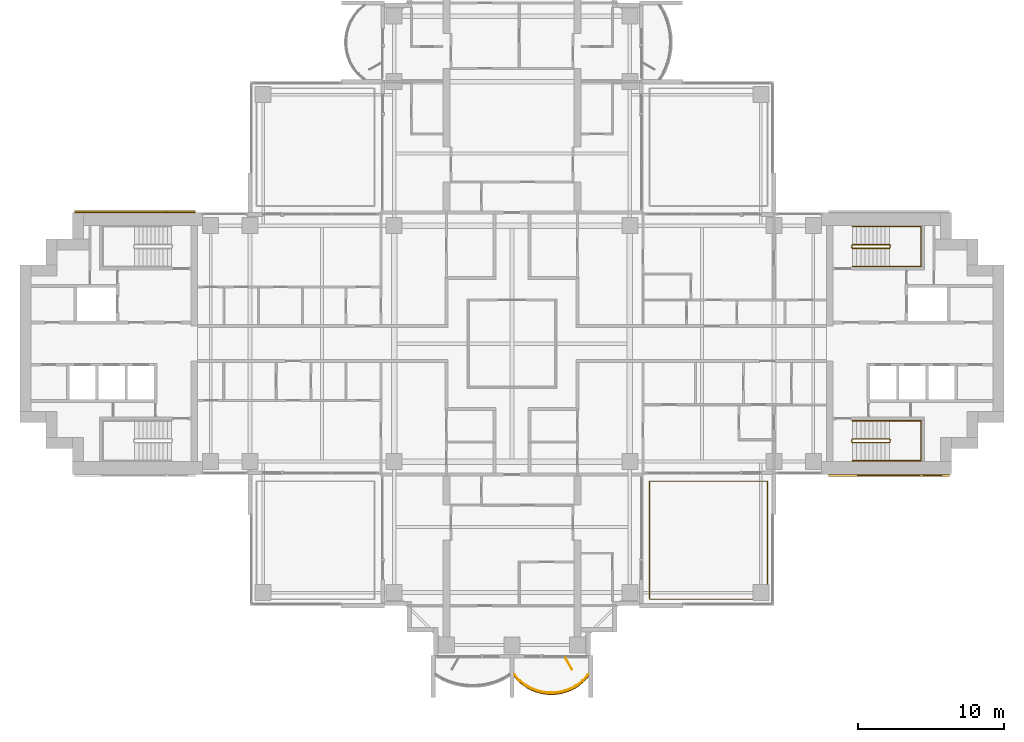
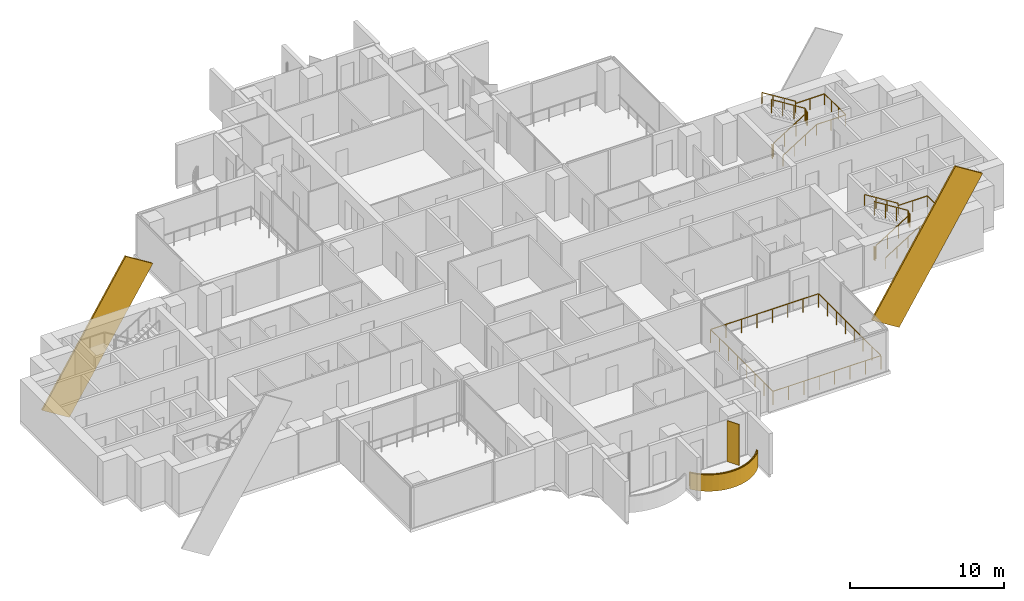
# One storey, part 17 of 19: 6 railings, 3 coverings, 1 shading device.
"""IFC4 building model written with IfcOpenShell, lengths in metres."""

from ifc_helpers import new_model, si_unit, direction, frame, origin, origin_2d, place, context, subcontext, project, spatial, polyline, rectangle, outline, extrude, material, layer, layer_set, material_profile, profile_set, type_object, element, save


model = new_model("IFC4")

# Units and contexts
model_context = context("Model", 3, precision=1e-05, world=origin(), true_north=direction((0.0, 1.0)))
body_context = subcontext(model_context, "Body", "Model", "MODEL_VIEW")
ifc_project = project(units=[si_unit("LENGTHUNIT", "METRE"), si_unit("AREAUNIT", "SQUARE_METRE"), si_unit("VOLUMEUNIT", "CUBIC_METRE"), si_unit("PLANEANGLEUNIT", "RADIAN"), si_unit("MASSUNIT", "GRAM", prefix="KILO")], contexts=[model_context])

# Site, building, storey
site_placement = place(None, origin())
site = spatial("IfcSite", under=ifc_project, at=site_placement, CompositionType="ELEMENT")
building_placement = place(site_placement, origin())
building = spatial("IfcBuilding", under=site, at=building_placement, Name="Perihelion Cross Residences", CompositionType="ELEMENT")
storey_placement = place(building_placement, frame((0.0, 0.0, 147.89990234375)))
storey = spatial("IfcBuildingStorey", under=building, at=storey_placement, Name="L36", CompositionType="ELEMENT", Elevation=147.89990234375)

# Covering
ifc_material_1 = material(Name="Bronze anodised aluminium", Category="aluminium")
ifc_layer_1 = layer(ifc_material_1, 0.070068359375)
ifc_layer_set_1 = layer_set([ifc_layer_1], Name="Balcony fascia 1300")
covering_type_1 = type_object("IfcCoveringType", Name="Balcony fascia 1300", PredefinedType="CLADDING", material=ifc_layer_set_1)
covering_placement = place(storey_placement, frame((0.0, 0.0, -0.199951171875)))
element("IfcCovering", 1, at=covering_placement, inside=storey, type_object=covering_type_1, Name="Fascia BF1 L36 south tip south bay 2", PredefinedType="CLADDING", context=body_context, shape_type="SweptSolid", body=[
    extrude(outline(polyline([(0.4951171875, -23.27392578125), (0.89599609375, -23.58251953125), (1.296875, -23.806396484375), (1.69775390625, -23.9638671875), (2.0986328125, -24.064697265625), (2.49951171875, -24.114013671875), (2.900390625, -24.114013671875), (3.30126953125, -24.064697265625), (3.7021484375, -23.9638671875), (4.10302734375, -23.806396484375), (4.50390625, -23.58251953125), (4.90478515625, -23.27392578125), (5.25, -22.90283203125), (5.25, -22.800048828125), (4.857666015625, -23.22216796875), (4.46533203125, -23.524169921875), (4.072998046875, -23.7431640625), (3.6806640625, -23.897216796875), (3.28857421875, -23.995849609375), (2.896240234375, -24.0439453125), (2.50390625, -24.0439453125), (2.111572265625, -23.995849609375), (1.71923828125, -23.897216796875), (1.326904296875, -23.7431640625), (0.9345703125, -23.524169921875), (0.542236328125, -23.22216796875), (0.14990234375, -22.800048828125), (0.14990234375, -22.90283203125), (0.4951171875, -23.27392578125)])), origin(), (0.0, 0.0, 1.0), 1.300048828125),
])

# Railings
ifc_material_2 = material(Name="Bronze anodised aluminium", Category="aluminium")
railing_type_1 = type_object("IfcRailingType", Name="Balcony guard 1100", PredefinedType="GUARDRAIL", material=ifc_material_2)
railing_1_placement = place(storey_placement, frame((0.175048828125, -22.739990234375, 0.0)))
element("IfcRailing", 2, at=railing_1_placement, inside=storey, type_object=railing_type_1, Name="Guard GU1 L36 south tip south bay 2 balcony", PredefinedType="GUARDRAIL", context=body_context, shape_type="SweptSolid", body=[
    extrude(rectangle(XDim=0.048095703125, YDim=0.048095703125, at=origin_2d()), frame((0.0, 0.0, 1.076171875), z_axis=(0.656308349551, -0.754492776844, 0.0), x_axis=(0.754492776844, 0.656308349551, 0.0)), (0.0, 0.0, 1.0), 0.5595703125),
    extrude(rectangle(XDim=0.048095703125, YDim=0.048095703125, at=origin_2d()), frame((0.3671875, -0.422119140625, 1.076171875), z_axis=(0.792422303655, -0.609972862241, 0.0), x_axis=(0.609972862241, 0.792422303655, 0.0)), (0.0, 0.0, 1.0), 0.4951171875),
    extrude(rectangle(XDim=0.048095703125, YDim=0.048095703125, at=origin_2d()), frame((0.759521484375, -0.72412109375, 1.076171875), z_axis=(0.873181568748, -0.487395063576, 0.0), x_axis=(0.487395063576, 0.873181568748, 0.0)), (0.0, 0.0, 1.0), 0.44921875),
    extrude(rectangle(XDim=0.048095703125, YDim=0.048095703125, at=origin_2d()), frame((1.15185546875, -0.943115234375, 1.076171875), z_axis=(0.930617693705, -0.365992770642, 0.0), x_axis=(0.365992770642, 0.930617693705, 0.0)), (0.0, 0.0, 1.0), 0.421630859375),
    extrude(rectangle(XDim=0.048095703125, YDim=0.048095703125, at=origin_2d()), frame((1.544189453125, -1.097412109375, 1.076171875), z_axis=(0.969964714601, -0.243245662716, 0.0), x_axis=(0.243245662716, 0.969964714601, 0.0)), (0.0, 0.0, 1.0), 0.404541015625),
    extrude(rectangle(XDim=0.048095703125, YDim=0.048095703125, at=origin_2d()), frame((1.9365234375, -1.19580078125, 1.076171875), z_axis=(0.992494874491, -0.122286238425, 0.0), x_axis=(0.122286238425, 0.992494874491, 0.0)), (0.0, 0.0, 1.0), 0.395263671875),
    extrude(rectangle(XDim=0.048095703125, YDim=0.048095703125, at=origin_2d()), frame((2.328857421875, -1.244140625, 1.076171875), z_axis=(1.0, 0.0, 0.0), x_axis=(0.0, 1.0, 0.0)), (0.0, 0.0, 1.0), 0.392333984375),
    extrude(rectangle(XDim=0.048095703125, YDim=0.048095703125, at=origin_2d()), frame((2.72119140625, -1.244140625, 1.076171875), z_axis=(0.992494874491, 0.122286238425, 0.0), x_axis=(-0.122286238425, 0.992494874491, 0.0)), (0.0, 0.0, 1.0), 0.395263671875),
    extrude(rectangle(XDim=0.048095703125, YDim=0.048095703125, at=origin_2d()), frame((3.113525390625, -1.19580078125, 1.076171875), z_axis=(0.96992896989, 0.243388153715, 0.0), x_axis=(-0.243388153715, 0.96992896989, 0.0)), (0.0, 0.0, 1.0), 0.404296875),
    extrude(rectangle(XDim=0.048095703125, YDim=0.048095703125, at=origin_2d()), frame((3.505615234375, -1.097412109375, 1.076171875), z_axis=(0.930617693705, 0.365992770642, 0.0), x_axis=(-0.365992770642, 0.930617693705, 0.0)), (0.0, 0.0, 1.0), 0.421630859375),
    extrude(rectangle(XDim=0.048095703125, YDim=0.048095703125, at=origin_2d()), frame((3.89794921875, -0.943115234375, 1.076171875), z_axis=(0.873181568748, 0.487395063576, 0.0), x_axis=(-0.487395063576, 0.873181568748, 0.0)), (0.0, 0.0, 1.0), 0.44921875),
    extrude(rectangle(XDim=0.048095703125, YDim=0.048095703125, at=origin_2d()), frame((4.290283203125, -0.72412109375, 1.076171875), z_axis=(0.792422303655, 0.609972862241, 0.0), x_axis=(-0.609972862241, 0.792422303655, 0.0)), (0.0, 0.0, 1.0), 0.4951171875),
    extrude(rectangle(XDim=0.048095703125, YDim=0.048095703125, at=origin_2d()), frame((4.6826171875, -0.422119140625, 1.076171875), z_axis=(0.656556653543, 0.754276713606, 0.0), x_axis=(-0.754276713606, 0.656556653543, 0.0)), (0.0, 0.0, 1.0), 0.5595703125),
    extrude(rectangle(XDim=0.0419921875, YDim=0.0419921875, at=origin_2d()), origin(), (0.0, 0.0, 1.0), 1.052001953125),
    extrude(rectangle(XDim=0.0419921875, YDim=0.0419921875, at=origin_2d()), frame((0.3671875, -0.422119140625, 0.0)), (0.0, 0.0, 1.0), 1.052001953125),
    extrude(rectangle(XDim=0.0419921875, YDim=0.0419921875, at=origin_2d()), frame((0.759521484375, -0.72412109375, 0.0)), (0.0, 0.0, 1.0), 1.052001953125),
    extrude(rectangle(XDim=0.0419921875, YDim=0.0419921875, at=origin_2d()), frame((1.15185546875, -0.943115234375, 0.0)), (0.0, 0.0, 1.0), 1.052001953125),
    extrude(rectangle(XDim=0.0419921875, YDim=0.0419921875, at=origin_2d()), frame((1.544189453125, -1.097412109375, 0.0)), (0.0, 0.0, 1.0), 1.052001953125),
    extrude(rectangle(XDim=0.0419921875, YDim=0.0419921875, at=origin_2d()), frame((1.9365234375, -1.19580078125, 0.0)), (0.0, 0.0, 1.0), 1.052001953125),
    extrude(rectangle(XDim=0.0419921875, YDim=0.0419921875, at=origin_2d()), frame((2.328857421875, -1.244140625, 0.0)), (0.0, 0.0, 1.0), 1.052001953125),
    extrude(rectangle(XDim=0.0419921875, YDim=0.0419921875, at=origin_2d()), frame((2.72119140625, -1.244140625, 0.0)), (0.0, 0.0, 1.0), 1.052001953125),
    extrude(rectangle(XDim=0.0419921875, YDim=0.0419921875, at=origin_2d()), frame((3.113525390625, -1.19580078125, 0.0)), (0.0, 0.0, 1.0), 1.052001953125),
    extrude(rectangle(XDim=0.0419921875, YDim=0.0419921875, at=origin_2d()), frame((3.505615234375, -1.097412109375, 0.0)), (0.0, 0.0, 1.0), 1.052001953125),
    extrude(rectangle(XDim=0.0419921875, YDim=0.0419921875, at=origin_2d()), frame((3.89794921875, -0.943115234375, 0.0)), (0.0, 0.0, 1.0), 1.052001953125),
    extrude(rectangle(XDim=0.0419921875, YDim=0.0419921875, at=origin_2d()), frame((4.290283203125, -0.72412109375, 0.0)), (0.0, 0.0, 1.0), 1.052001953125),
    extrude(rectangle(XDim=0.0419921875, YDim=0.0419921875, at=origin_2d()), frame((4.6826171875, -0.422119140625, 0.0)), (0.0, 0.0, 1.0), 1.052001953125),
    extrude(rectangle(XDim=0.0419921875, YDim=0.0419921875, at=origin_2d()), frame((5.050048828125, 0.0, 0.0)), (0.0, 0.0, 1.0), 1.052001953125),
])
railing_2_placement = place(storey_placement, frame((17.550048828125, -17.550048828125, 0.0)))
element("IfcRailing", 3, at=railing_2_placement, inside=storey, type_object=railing_type_1, Name="Guard GU1 L36 pocket south-east 1", PredefinedType="GUARDRAIL", context=body_context, shape_type="SweptSolid", body=[
    extrude(rectangle(XDim=0.048095703125, YDim=0.048095703125, at=origin_2d()), frame((0.0, 0.0, 1.076171875), z_axis=(-1.0, 0.0, 0.0), x_axis=(0.0, -1.0, 0.0)), (0.0, 0.0, 1.0), 8.10009765625),
    extrude(rectangle(XDim=0.048095703125, YDim=0.048095703125, at=origin_2d()), frame((-8.10009765625, 0.0, 1.076171875), z_axis=(0.0, 1.0, 0.0), x_axis=(-1.0, 0.0, 0.0)), (0.0, 0.0, 1.0), 8.10009765625),
    extrude(rectangle(XDim=0.048095703125, YDim=0.048095703125, at=origin_2d()), frame((-8.10009765625, 8.10009765625, 1.076171875), z_axis=(1.0, 0.0, 0.0), x_axis=(0.0, 1.0, 0.0)), (0.0, 0.0, 1.0), 8.10009765625),
    extrude(rectangle(XDim=0.048095703125, YDim=0.048095703125, at=origin_2d()), frame((0.0, 8.10009765625, 1.076171875), z_axis=(0.0, -1.0, 0.0), x_axis=(1.0, 0.0, 0.0)), (0.0, 0.0, 1.0), 8.10009765625),
    extrude(rectangle(XDim=0.0419921875, YDim=0.0419921875, at=origin_2d()), origin(), (0.0, 0.0, 1.0), 1.052001953125),
    extrude(rectangle(XDim=0.0419921875, YDim=0.0419921875, at=origin_2d()), frame((-1.1572265625, 0.0, 0.0)), (0.0, 0.0, 1.0), 1.052001953125),
    extrude(rectangle(XDim=0.0419921875, YDim=0.0419921875, at=origin_2d()), frame((-2.314208984375, 0.0, 0.0)), (0.0, 0.0, 1.0), 1.052001953125),
    extrude(rectangle(XDim=0.0419921875, YDim=0.0419921875, at=origin_2d()), frame((-3.471435546875, 0.0, 0.0)), (0.0, 0.0, 1.0), 1.052001953125),
    extrude(rectangle(XDim=0.0419921875, YDim=0.0419921875, at=origin_2d()), frame((-4.628662109375, 0.0, 0.0)), (0.0, 0.0, 1.0), 1.052001953125),
    extrude(rectangle(XDim=0.0419921875, YDim=0.0419921875, at=origin_2d()), frame((-5.785888671875, 0.0, 0.0)), (0.0, 0.0, 1.0), 1.052001953125),
    extrude(rectangle(XDim=0.0419921875, YDim=0.0419921875, at=origin_2d()), frame((-6.94287109375, 0.0, 0.0)), (0.0, 0.0, 1.0), 1.052001953125),
    extrude(rectangle(XDim=0.0419921875, YDim=0.0419921875, at=origin_2d()), frame((-8.10009765625, 0.0, 0.0)), (0.0, 0.0, 1.0), 1.052001953125),
    extrude(rectangle(XDim=0.0419921875, YDim=0.0419921875, at=origin_2d()), frame((-8.10009765625, 1.1572265625, 0.0)), (0.0, 0.0, 1.0), 1.052001953125),
    extrude(rectangle(XDim=0.0419921875, YDim=0.0419921875, at=origin_2d()), frame((-8.10009765625, 2.314208984375, 0.0)), (0.0, 0.0, 1.0), 1.052001953125),
    extrude(rectangle(XDim=0.0419921875, YDim=0.0419921875, at=origin_2d()), frame((-8.10009765625, 3.471435546875, 0.0)), (0.0, 0.0, 1.0), 1.052001953125),
    extrude(rectangle(XDim=0.0419921875, YDim=0.0419921875, at=origin_2d()), frame((-8.10009765625, 4.628662109375, 0.0)), (0.0, 0.0, 1.0), 1.052001953125),
    extrude(rectangle(XDim=0.0419921875, YDim=0.0419921875, at=origin_2d()), frame((-8.10009765625, 5.785888671875, 0.0)), (0.0, 0.0, 1.0), 1.052001953125),
    extrude(rectangle(XDim=0.0419921875, YDim=0.0419921875, at=origin_2d()), frame((-8.10009765625, 6.94287109375, 0.0)), (0.0, 0.0, 1.0), 1.052001953125),
    extrude(rectangle(XDim=0.0419921875, YDim=0.0419921875, at=origin_2d()), frame((-8.10009765625, 8.10009765625, 0.0)), (0.0, 0.0, 1.0), 1.052001953125),
    extrude(rectangle(XDim=0.0419921875, YDim=0.0419921875, at=origin_2d()), frame((-6.94287109375, 8.10009765625, 0.0)), (0.0, 0.0, 1.0), 1.052001953125),
    extrude(rectangle(XDim=0.0419921875, YDim=0.0419921875, at=origin_2d()), frame((-5.785888671875, 8.10009765625, 0.0)), (0.0, 0.0, 1.0), 1.052001953125),
    extrude(rectangle(XDim=0.0419921875, YDim=0.0419921875, at=origin_2d()), frame((-4.628662109375, 8.10009765625, 0.0)), (0.0, 0.0, 1.0), 1.052001953125),
    extrude(rectangle(XDim=0.0419921875, YDim=0.0419921875, at=origin_2d()), frame((-3.471435546875, 8.10009765625, 0.0)), (0.0, 0.0, 1.0), 1.052001953125),
    extrude(rectangle(XDim=0.0419921875, YDim=0.0419921875, at=origin_2d()), frame((-2.314208984375, 8.10009765625, 0.0)), (0.0, 0.0, 1.0), 1.052001953125),
    extrude(rectangle(XDim=0.0419921875, YDim=0.0419921875, at=origin_2d()), frame((-1.1572265625, 8.10009765625, 0.0)), (0.0, 0.0, 1.0), 1.052001953125),
    extrude(rectangle(XDim=0.0419921875, YDim=0.0419921875, at=origin_2d()), frame((0.0, 8.10009765625, 0.0)), (0.0, 0.0, 1.0), 1.052001953125),
    extrude(rectangle(XDim=0.0419921875, YDim=0.0419921875, at=origin_2d()), frame((0.0, 6.94287109375, 0.0)), (0.0, 0.0, 1.0), 1.052001953125),
    extrude(rectangle(XDim=0.0419921875, YDim=0.0419921875, at=origin_2d()), frame((0.0, 5.785888671875, 0.0)), (0.0, 0.0, 1.0), 1.052001953125),
    extrude(rectangle(XDim=0.0419921875, YDim=0.0419921875, at=origin_2d()), frame((0.0, 4.628662109375, 0.0)), (0.0, 0.0, 1.0), 1.052001953125),
    extrude(rectangle(XDim=0.0419921875, YDim=0.0419921875, at=origin_2d()), frame((0.0, 3.471435546875, 0.0)), (0.0, 0.0, 1.0), 1.052001953125),
    extrude(rectangle(XDim=0.0419921875, YDim=0.0419921875, at=origin_2d()), frame((0.0, 2.314208984375, 0.0)), (0.0, 0.0, 1.0), 1.052001953125),
    extrude(rectangle(XDim=0.0419921875, YDim=0.0419921875, at=origin_2d()), frame((0.0, 1.1572265625, 0.0)), (0.0, 0.0, 1.0), 1.052001953125),
])

# Coverings
ifc_material_3 = material(Name="Bronze anodised aluminium", Category="aluminium")
ifc_material_profile = material_profile(ifc_material_3, rectangle(XDim=0.125, YDim=2.39990234375, at=origin_2d()), Name="Bronze cladding band 2400")
ifc_profile_set = profile_set([ifc_material_profile], Name="Bronze anodised aluminium")
covering_type_2 = type_object("IfcCoveringType", Name="Bronze cladding band 2400", PredefinedType="CLADDING", material=ifc_profile_set)
for number, where, z_axis, x_axis, name in (
    (4, (22.767578125, -9.0625, -3.346923828125), (0.529915403603, 0.0, 0.848050508534), (0.0, 1.0, 0.0), "Core cladding band, east core"),
    (5, (-29.0322265625, 9.0625, -3.346923828125), (0.529915403603, 0.0, 0.848050508534), (0.0, 1.0, 0.0), "Core cladding band, west core"),
):
    element("IfcCovering", number, at=place(storey_placement, frame(where, z_axis=z_axis, x_axis=x_axis)), inside=storey, type_object=covering_type_2, Name=name, PredefinedType="CLADDING", context=body_context, shape_type="SweptSolid", body=[
        extrude(rectangle(XDim=0.125, YDim=2.39990234375, at=origin_2d()), origin(), (0.0, 0.0, 1.0), 11.822021484375),
    ])

# Shading device
ifc_material_4 = material(Name="Bronze anodised aluminium", Category="aluminium")
ifc_layer_2 = layer(ifc_material_4, 0.050048828125)
ifc_layer_set_2 = layer_set([ifc_layer_2], Name="Bronze fin 900")
shading_device_type = type_object("IfcShadingDeviceType", Name="Bronze fin 900", PredefinedType="USERDEFINED", material=ifc_layer_set_2)
shading_device_placement = place(storey_placement, frame((3.89990234375, -21.98974609375, 0.0), z_axis=(0.0, 0.0, 1.0), x_axis=(0.5, -0.866025403784, 0.0)))
element("IfcShadingDevice", 6, at=shading_device_placement, inside=storey, type_object=shading_device_type, Name="Fin FN1 L36 south tip south bay 2", ObjectType="FIN", PredefinedType="USERDEFINED", context=body_context, shape_type="SweptSolid", body=[
    extrude(rectangle(XDim=0.89990234375, YDim=0.050048828125, at=origin_2d()), origin(), (0.0, 0.0, 1.0), 3.25),
])

# Railings
ifc_material_5 = material(Name="Stainless steel", Category="steel")
railing_type_2 = type_object("IfcRailingType", Name="Stair guard 1100", PredefinedType="GUARDRAIL", material=ifc_material_5)
railing_3_placement = place(storey_placement, frame((23.35009765625, 6.75, 0.0)))
element("IfcRailing", 7, at=railing_3_placement, inside=storey, type_object=railing_type_2, Name="L36 ST-E1 stair guard 1", PredefinedType="GUARDRAIL", context=body_context, shape_type="SweptSolid", body=[
    extrude(rectangle(XDim=0.048095703125, YDim=0.048095703125, at=origin_2d()), frame((0.0, 0.0, 1.076171875), z_axis=(0.0, -1.0, 0.0), x_axis=(1.0, 0.0, 0.0)), (0.0, 0.0, 1.0), 0.14990234375),
    extrude(rectangle(XDim=0.048095703125, YDim=0.048095703125, at=origin_2d()), frame((0.0, -0.14990234375, 1.076171875), z_axis=(0.263862480399, -0.265155923931, 0.927399011991), x_axis=(0.708833529934, 0.705375805398, 0.0)), (0.0, 0.0, 1.0), 0.188720703125),
    extrude(rectangle(XDim=0.048095703125, YDim=0.048095703125, at=origin_2d()), frame((0.0498046875, -0.199951171875, 1.2509765625), z_axis=(0.848007534815, 0.0, 0.529984170421), x_axis=(0.0, 1.0, 0.0)), (0.0, 0.0, 1.0), 2.9716796875),
    extrude(rectangle(XDim=0.048095703125, YDim=0.048095703125, at=origin_2d()), frame((2.56982421875, -0.199951171875, 2.826171875), z_axis=(0.707106781187, 0.707106781187, 0.0), x_axis=(-0.707106781187, 0.707106781187, 0.0)), (0.0, 0.0, 1.0), 0.07080078125),
    extrude(rectangle(XDim=0.048095703125, YDim=0.048095703125, at=origin_2d()), frame((2.619873046875, -0.14990234375, 2.826171875), z_axis=(0.0, 1.0, 0.0), x_axis=(-1.0, 0.0, 0.0)), (0.0, 0.0, 1.0), 0.14990234375),
    extrude(rectangle(XDim=0.048095703125, YDim=0.048095703125, at=origin_2d()), frame((2.619873046875, 0.0, 2.826171875), z_axis=(-0.265065253269, 0.265065253269, 0.927081885822), x_axis=(-0.707106781187, -0.707106781187, 0.0)), (0.0, 0.0, 1.0), 0.188720703125),
    extrude(rectangle(XDim=0.048095703125, YDim=0.048095703125, at=origin_2d()), frame((2.56982421875, 0.050048828125, 3.0009765625), z_axis=(-0.848007534815, 0.0, 0.529984170421), x_axis=(0.0, -1.0, 0.0)), (0.0, 0.0, 1.0), 2.9716796875),
    extrude(rectangle(XDim=0.0419921875, YDim=0.0419921875, at=origin_2d()), origin(), (0.0, 0.0, 1.0), 1.052001953125),
    extrude(rectangle(XDim=0.0419921875, YDim=0.0419921875, at=origin_2d()), frame((0.0, -0.14990234375, 0.0)), (0.0, 0.0, 1.0), 1.052001953125),
    extrude(rectangle(XDim=0.0419921875, YDim=0.0419921875, at=origin_2d()), frame((0.0498046875, -0.199951171875, 0.175048828125)), (0.0, 0.0, 1.0), 1.052001953125),
    extrude(rectangle(XDim=0.0419921875, YDim=0.0419921875, at=origin_2d()), frame((0.889892578125, -0.199951171875, 0.699951171875)), (0.0, 0.0, 1.0), 1.052001953125),
    extrude(rectangle(XDim=0.0419921875, YDim=0.0419921875, at=origin_2d()), frame((1.729736328125, -0.199951171875, 1.22509765625)), (0.0, 0.0, 1.0), 1.052001953125),
    extrude(rectangle(XDim=0.0419921875, YDim=0.0419921875, at=origin_2d()), frame((2.56982421875, -0.199951171875, 1.75)), (0.0, 0.0, 1.0), 1.052001953125),
    extrude(rectangle(XDim=0.0419921875, YDim=0.0419921875, at=origin_2d()), frame((2.619873046875, -0.14990234375, 1.75)), (0.0, 0.0, 1.0), 1.052001953125),
    extrude(rectangle(XDim=0.0419921875, YDim=0.0419921875, at=origin_2d()), frame((2.619873046875, 0.0, 1.75)), (0.0, 0.0, 1.0), 1.052001953125),
    extrude(rectangle(XDim=0.0419921875, YDim=0.0419921875, at=origin_2d()), frame((2.56982421875, 0.050048828125, 1.925048828125)), (0.0, 0.0, 1.0), 1.052001953125),
    extrude(rectangle(XDim=0.0419921875, YDim=0.0419921875, at=origin_2d()), frame((1.729736328125, 0.050048828125, 2.449951171875)), (0.0, 0.0, 1.0), 1.052001953125),
    extrude(rectangle(XDim=0.0419921875, YDim=0.0419921875, at=origin_2d()), frame((0.889892578125, 0.050048828125, 2.97509765625)), (0.0, 0.0, 1.0), 1.052001953125),
    extrude(rectangle(XDim=0.0419921875, YDim=0.0419921875, at=origin_2d()), frame((0.0498046875, 0.050048828125, 3.5)), (0.0, 0.0, 1.0), 1.052001953125),
])
railing_4_placement = place(storey_placement, frame((23.35009765625, -6.60009765625, 0.0)))
element("IfcRailing", 8, at=railing_4_placement, inside=storey, type_object=railing_type_2, Name="L36 ST-E2 stair guard 1", PredefinedType="GUARDRAIL", context=body_context, shape_type="SweptSolid", body=[
    extrude(rectangle(XDim=0.048095703125, YDim=0.048095703125, at=origin_2d()), frame((0.0, 0.0, 1.076171875), z_axis=(0.0, -1.0, 0.0), x_axis=(1.0, 0.0, 0.0)), (0.0, 0.0, 1.0), 0.14990234375),
    extrude(rectangle(XDim=0.048095703125, YDim=0.048095703125, at=origin_2d()), frame((0.0, -0.14990234375, 1.076171875), z_axis=(0.263862480399, -0.265155923931, 0.927399011991), x_axis=(0.708833529934, 0.705375805398, 0.0)), (0.0, 0.0, 1.0), 0.188720703125),
    extrude(rectangle(XDim=0.048095703125, YDim=0.048095703125, at=origin_2d()), frame((0.0498046875, -0.199951171875, 1.2509765625), z_axis=(0.848007534815, 0.0, 0.529984170421), x_axis=(0.0, 1.0, 0.0)), (0.0, 0.0, 1.0), 2.9716796875),
    extrude(rectangle(XDim=0.048095703125, YDim=0.048095703125, at=origin_2d()), frame((2.56982421875, -0.199951171875, 2.826171875), z_axis=(0.707106781187, 0.707106781187, 0.0), x_axis=(-0.707106781187, 0.707106781187, 0.0)), (0.0, 0.0, 1.0), 0.07080078125),
    extrude(rectangle(XDim=0.048095703125, YDim=0.048095703125, at=origin_2d()), frame((2.619873046875, -0.14990234375, 2.826171875), z_axis=(0.0, 1.0, 0.0), x_axis=(-1.0, 0.0, 0.0)), (0.0, 0.0, 1.0), 0.14990234375),
    extrude(rectangle(XDim=0.048095703125, YDim=0.048095703125, at=origin_2d()), frame((2.619873046875, 0.0, 2.826171875), z_axis=(-0.265065253269, 0.265065253269, 0.927081885822), x_axis=(-0.707106781187, -0.707106781187, 0.0)), (0.0, 0.0, 1.0), 0.188720703125),
    extrude(rectangle(XDim=0.048095703125, YDim=0.048095703125, at=origin_2d()), frame((2.56982421875, 0.050048828125, 3.0009765625), z_axis=(-0.848007534815, 0.0, 0.529984170421), x_axis=(0.0, -1.0, 0.0)), (0.0, 0.0, 1.0), 2.9716796875),
    extrude(rectangle(XDim=0.0419921875, YDim=0.0419921875, at=origin_2d()), origin(), (0.0, 0.0, 1.0), 1.052001953125),
    extrude(rectangle(XDim=0.0419921875, YDim=0.0419921875, at=origin_2d()), frame((0.0, -0.14990234375, 0.0)), (0.0, 0.0, 1.0), 1.052001953125),
    extrude(rectangle(XDim=0.0419921875, YDim=0.0419921875, at=origin_2d()), frame((0.0498046875, -0.199951171875, 0.175048828125)), (0.0, 0.0, 1.0), 1.052001953125),
    extrude(rectangle(XDim=0.0419921875, YDim=0.0419921875, at=origin_2d()), frame((0.889892578125, -0.199951171875, 0.699951171875)), (0.0, 0.0, 1.0), 1.052001953125),
    extrude(rectangle(XDim=0.0419921875, YDim=0.0419921875, at=origin_2d()), frame((1.729736328125, -0.199951171875, 1.22509765625)), (0.0, 0.0, 1.0), 1.052001953125),
    extrude(rectangle(XDim=0.0419921875, YDim=0.0419921875, at=origin_2d()), frame((2.56982421875, -0.199951171875, 1.75)), (0.0, 0.0, 1.0), 1.052001953125),
    extrude(rectangle(XDim=0.0419921875, YDim=0.0419921875, at=origin_2d()), frame((2.619873046875, -0.14990234375, 1.75)), (0.0, 0.0, 1.0), 1.052001953125),
    extrude(rectangle(XDim=0.0419921875, YDim=0.0419921875, at=origin_2d()), frame((2.619873046875, 0.0, 1.75)), (0.0, 0.0, 1.0), 1.052001953125),
    extrude(rectangle(XDim=0.0419921875, YDim=0.0419921875, at=origin_2d()), frame((2.56982421875, 0.050048828125, 1.925048828125)), (0.0, 0.0, 1.0), 1.052001953125),
    extrude(rectangle(XDim=0.0419921875, YDim=0.0419921875, at=origin_2d()), frame((1.729736328125, 0.050048828125, 2.449951171875)), (0.0, 0.0, 1.0), 1.052001953125),
    extrude(rectangle(XDim=0.0419921875, YDim=0.0419921875, at=origin_2d()), frame((0.889892578125, 0.050048828125, 2.97509765625)), (0.0, 0.0, 1.0), 1.052001953125),
    extrude(rectangle(XDim=0.0419921875, YDim=0.0419921875, at=origin_2d()), frame((0.0498046875, 0.050048828125, 3.5)), (0.0, 0.0, 1.0), 1.052001953125),
])
ifc_material_6 = material(Name="Stainless steel", Category="steel")
railing_type_3 = type_object("IfcRailingType", Name="Stair handrail 900", PredefinedType="HANDRAIL", material=ifc_material_6)
railing_5_placement = place(storey_placement, frame((23.39990234375, 5.300048828125, 0.175048828125)))
element("IfcRailing", 9, at=railing_5_placement, inside=storey, type_object=railing_type_3, Name="L36 ST-E1 stair handrail 1", PredefinedType="HANDRAIL", context=body_context, shape_type="SweptSolid", body=[
    extrude(rectangle(XDim=0.048095703125, YDim=0.048095703125, at=origin_2d()), frame((0.0, 0.0, 0.8759765625), z_axis=(0.848007534815, 0.0, 0.529984170421), x_axis=(0.0, 1.0, 0.0)), (0.0, 0.0, 1.0), 2.9716796875),
    extrude(rectangle(XDim=0.048095703125, YDim=0.048095703125, at=origin_2d()), frame((2.52001953125, 0.0, 2.45068359375), z_axis=(1.0, 0.0, 0.0), x_axis=(0.0, 1.0, 0.0)), (0.0, 0.0, 1.0), 2.18017578125),
    extrude(rectangle(XDim=0.048095703125, YDim=0.048095703125, at=origin_2d()), frame((4.7001953125, 0.0, 2.45068359375), z_axis=(0.0, 1.0, 0.0), x_axis=(-1.0, 0.0, 0.0)), (0.0, 0.0, 1.0), 2.75),
    extrude(rectangle(XDim=0.048095703125, YDim=0.048095703125, at=origin_2d()), frame((4.7001953125, 2.75, 2.45068359375), z_axis=(-1.0, 0.0, 0.0), x_axis=(0.0, -1.0, 0.0)), (0.0, 0.0, 1.0), 2.18017578125),
    extrude(rectangle(XDim=0.048095703125, YDim=0.048095703125, at=origin_2d()), frame((2.52001953125, 2.75, 2.45068359375), z_axis=(0.0, 0.0, 1.0), x_axis=(1.0, 0.0, 0.0)), (0.0, 0.0, 1.0), 0.175048828125),
    extrude(rectangle(XDim=0.048095703125, YDim=0.048095703125, at=origin_2d()), frame((2.52001953125, 2.75, 2.6259765625), z_axis=(-0.848007534815, 0.0, 0.529984170421), x_axis=(0.0, -1.0, 0.0)), (0.0, 0.0, 1.0), 2.9716796875),
    extrude(rectangle(XDim=0.0419921875, YDim=0.0419921875, at=origin_2d()), origin(), (0.0, 0.0, 1.0), 0.851806640625),
    extrude(rectangle(XDim=0.0419921875, YDim=0.0419921875, at=origin_2d()), frame((0.840087890625, 0.0, 0.52490234375)), (0.0, 0.0, 1.0), 0.851806640625),
    extrude(rectangle(XDim=0.0419921875, YDim=0.0419921875, at=origin_2d()), frame((1.679931640625, 0.0, 1.050048828125)), (0.0, 0.0, 1.0), 0.851806640625),
    extrude(rectangle(XDim=0.0419921875, YDim=0.0419921875, at=origin_2d()), frame((2.52001953125, 0.0, 1.574951171875)), (0.0, 0.0, 1.0), 0.851806640625),
    extrude(rectangle(XDim=0.0419921875, YDim=0.0419921875, at=origin_2d()), frame((3.610107421875, 0.0, 1.574951171875)), (0.0, 0.0, 1.0), 0.851806640625),
    extrude(rectangle(XDim=0.0419921875, YDim=0.0419921875, at=origin_2d()), frame((4.7001953125, 0.0, 1.574951171875)), (0.0, 0.0, 1.0), 0.851806640625),
    extrude(rectangle(XDim=0.0419921875, YDim=0.0419921875, at=origin_2d()), frame((4.7001953125, 0.916748046875, 1.574951171875)), (0.0, 0.0, 1.0), 0.851806640625),
    extrude(rectangle(XDim=0.0419921875, YDim=0.0419921875, at=origin_2d()), frame((4.7001953125, 1.833251953125, 1.574951171875)), (0.0, 0.0, 1.0), 0.851806640625),
    extrude(rectangle(XDim=0.0419921875, YDim=0.0419921875, at=origin_2d()), frame((4.7001953125, 2.75, 1.574951171875)), (0.0, 0.0, 1.0), 0.851806640625),
    extrude(rectangle(XDim=0.0419921875, YDim=0.0419921875, at=origin_2d()), frame((3.610107421875, 2.75, 1.574951171875)), (0.0, 0.0, 1.0), 0.851806640625),
    extrude(rectangle(XDim=0.0419921875, YDim=0.0419921875, at=origin_2d()), frame((2.52001953125, 2.75, 1.574951171875)), (0.0, 0.0, 1.0), 0.851806640625),
    extrude(rectangle(XDim=0.0419921875, YDim=0.0419921875, at=origin_2d()), frame((2.52001953125, 2.75, 1.75)), (0.0, 0.0, 1.0), 0.851806640625),
    extrude(rectangle(XDim=0.0419921875, YDim=0.0419921875, at=origin_2d()), frame((1.679931640625, 2.75, 2.27490234375)), (0.0, 0.0, 1.0), 0.851806640625),
    extrude(rectangle(XDim=0.0419921875, YDim=0.0419921875, at=origin_2d()), frame((0.840087890625, 2.75, 2.800048828125)), (0.0, 0.0, 1.0), 0.851806640625),
    extrude(rectangle(XDim=0.0419921875, YDim=0.0419921875, at=origin_2d()), frame((0.0, 2.75, 3.324951171875)), (0.0, 0.0, 1.0), 0.851806640625),
])
railing_6_placement = place(storey_placement, frame((23.39990234375, -8.050048828125, 0.175048828125)))
element("IfcRailing", 10, at=railing_6_placement, inside=storey, type_object=railing_type_3, Name="L36 ST-E2 stair handrail 1", PredefinedType="HANDRAIL", context=body_context, shape_type="SweptSolid", body=[
    extrude(rectangle(XDim=0.048095703125, YDim=0.048095703125, at=origin_2d()), frame((0.0, 0.0, 0.8759765625), z_axis=(0.848007534815, 0.0, 0.529984170421), x_axis=(0.0, 1.0, 0.0)), (0.0, 0.0, 1.0), 2.9716796875),
    extrude(rectangle(XDim=0.048095703125, YDim=0.048095703125, at=origin_2d()), frame((2.52001953125, 0.0, 2.45068359375), z_axis=(1.0, 0.0, 0.0), x_axis=(0.0, 1.0, 0.0)), (0.0, 0.0, 1.0), 2.18017578125),
    extrude(rectangle(XDim=0.048095703125, YDim=0.048095703125, at=origin_2d()), frame((4.7001953125, 0.0, 2.45068359375), z_axis=(0.0, 1.0, 0.0), x_axis=(-1.0, 0.0, 0.0)), (0.0, 0.0, 1.0), 2.75),
    extrude(rectangle(XDim=0.048095703125, YDim=0.048095703125, at=origin_2d()), frame((4.7001953125, 2.75, 2.45068359375), z_axis=(-1.0, 0.0, 0.0), x_axis=(0.0, -1.0, 0.0)), (0.0, 0.0, 1.0), 2.18017578125),
    extrude(rectangle(XDim=0.048095703125, YDim=0.048095703125, at=origin_2d()), frame((2.52001953125, 2.75, 2.45068359375), z_axis=(0.0, 0.0, 1.0), x_axis=(1.0, 0.0, 0.0)), (0.0, 0.0, 1.0), 0.175048828125),
    extrude(rectangle(XDim=0.048095703125, YDim=0.048095703125, at=origin_2d()), frame((2.52001953125, 2.75, 2.6259765625), z_axis=(-0.848007534815, 0.0, 0.529984170421), x_axis=(0.0, -1.0, 0.0)), (0.0, 0.0, 1.0), 2.9716796875),
    extrude(rectangle(XDim=0.0419921875, YDim=0.0419921875, at=origin_2d()), origin(), (0.0, 0.0, 1.0), 0.851806640625),
    extrude(rectangle(XDim=0.0419921875, YDim=0.0419921875, at=origin_2d()), frame((0.840087890625, 0.0, 0.52490234375)), (0.0, 0.0, 1.0), 0.851806640625),
    extrude(rectangle(XDim=0.0419921875, YDim=0.0419921875, at=origin_2d()), frame((1.679931640625, 0.0, 1.050048828125)), (0.0, 0.0, 1.0), 0.851806640625),
    extrude(rectangle(XDim=0.0419921875, YDim=0.0419921875, at=origin_2d()), frame((2.52001953125, 0.0, 1.574951171875)), (0.0, 0.0, 1.0), 0.851806640625),
    extrude(rectangle(XDim=0.0419921875, YDim=0.0419921875, at=origin_2d()), frame((3.610107421875, 0.0, 1.574951171875)), (0.0, 0.0, 1.0), 0.851806640625),
    extrude(rectangle(XDim=0.0419921875, YDim=0.0419921875, at=origin_2d()), frame((4.7001953125, 0.0, 1.574951171875)), (0.0, 0.0, 1.0), 0.851806640625),
    extrude(rectangle(XDim=0.0419921875, YDim=0.0419921875, at=origin_2d()), frame((4.7001953125, 0.916748046875, 1.574951171875)), (0.0, 0.0, 1.0), 0.851806640625),
    extrude(rectangle(XDim=0.0419921875, YDim=0.0419921875, at=origin_2d()), frame((4.7001953125, 1.833251953125, 1.574951171875)), (0.0, 0.0, 1.0), 0.851806640625),
    extrude(rectangle(XDim=0.0419921875, YDim=0.0419921875, at=origin_2d()), frame((4.7001953125, 2.75, 1.574951171875)), (0.0, 0.0, 1.0), 0.851806640625),
    extrude(rectangle(XDim=0.0419921875, YDim=0.0419921875, at=origin_2d()), frame((3.610107421875, 2.75, 1.574951171875)), (0.0, 0.0, 1.0), 0.851806640625),
    extrude(rectangle(XDim=0.0419921875, YDim=0.0419921875, at=origin_2d()), frame((2.52001953125, 2.75, 1.574951171875)), (0.0, 0.0, 1.0), 0.851806640625),
    extrude(rectangle(XDim=0.0419921875, YDim=0.0419921875, at=origin_2d()), frame((2.52001953125, 2.75, 1.75)), (0.0, 0.0, 1.0), 0.851806640625),
    extrude(rectangle(XDim=0.0419921875, YDim=0.0419921875, at=origin_2d()), frame((1.679931640625, 2.75, 2.27490234375)), (0.0, 0.0, 1.0), 0.851806640625),
    extrude(rectangle(XDim=0.0419921875, YDim=0.0419921875, at=origin_2d()), frame((0.840087890625, 2.75, 2.800048828125)), (0.0, 0.0, 1.0), 0.851806640625),
    extrude(rectangle(XDim=0.0419921875, YDim=0.0419921875, at=origin_2d()), frame((0.0, 2.75, 3.324951171875)), (0.0, 0.0, 1.0), 0.851806640625),
])

save(model, "model.ifc")
